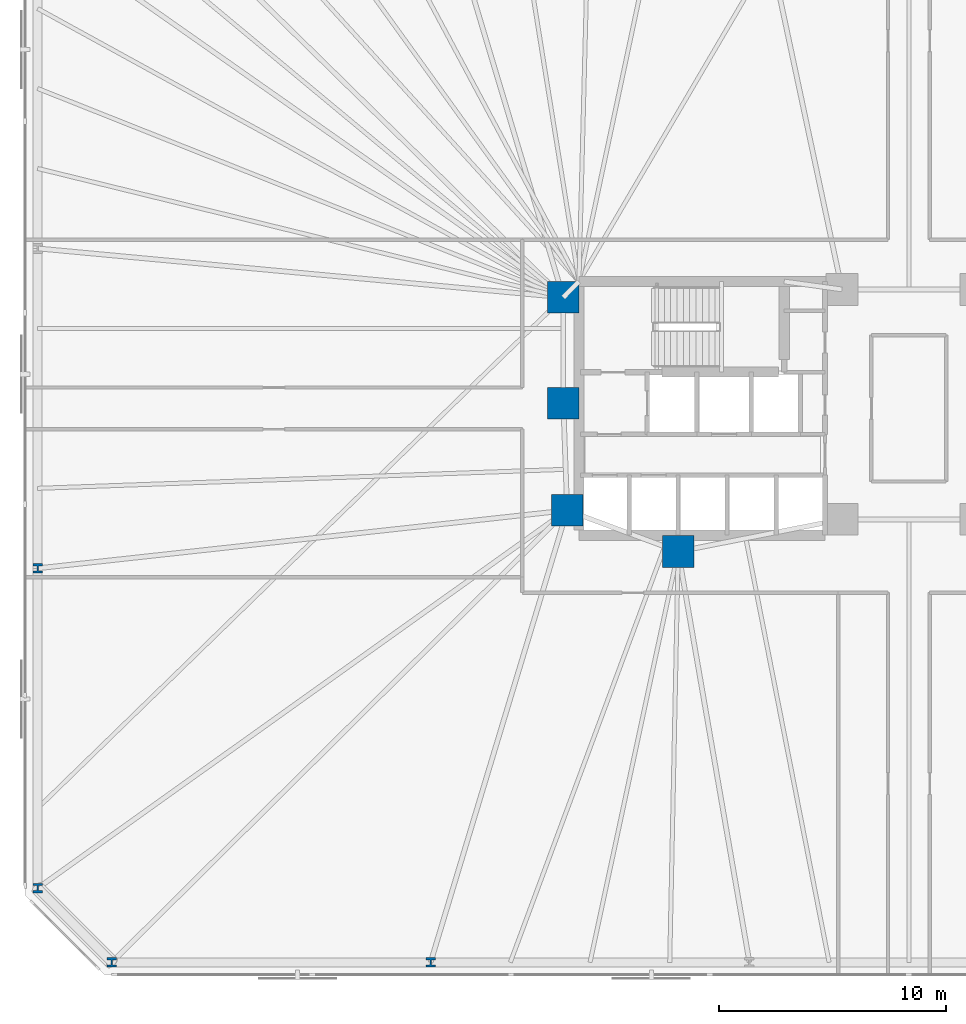
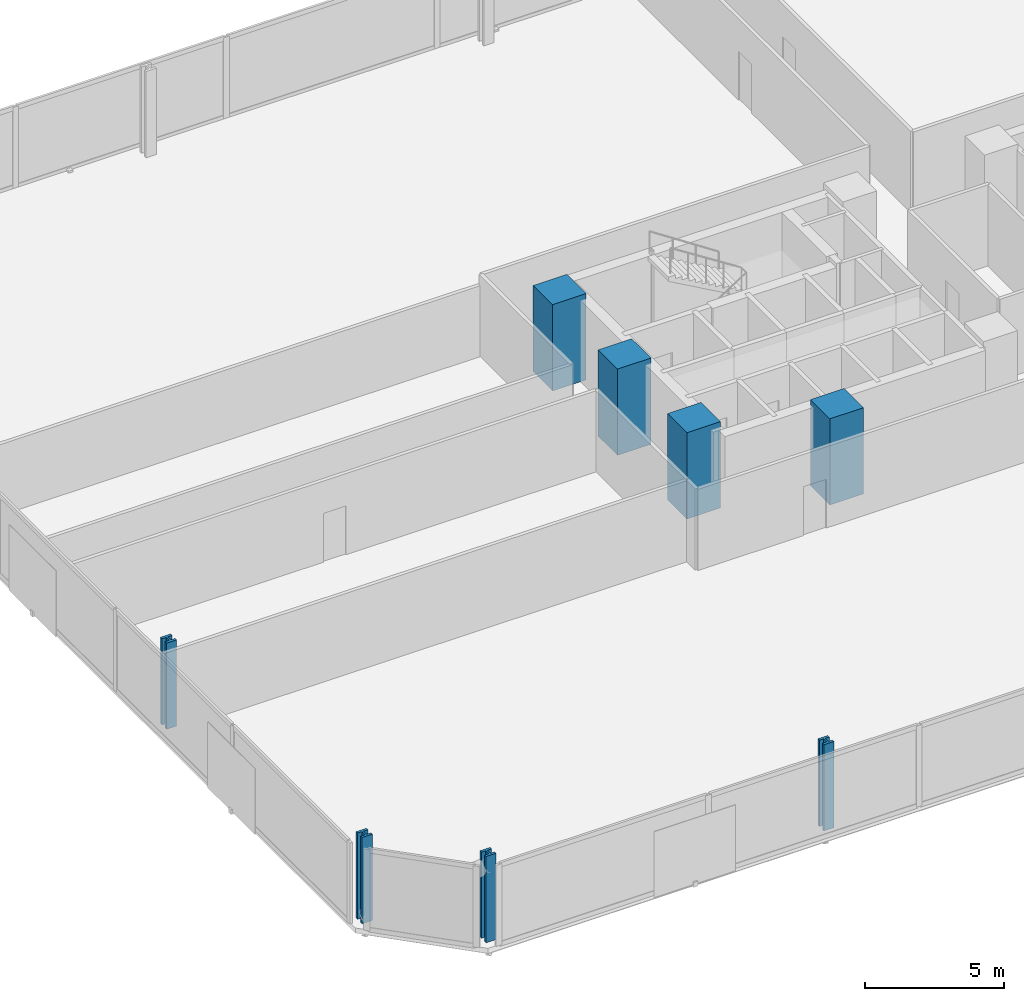
# One storey, part 1 of 16: 8 columns.
"""IFC4 building model written with IfcOpenShell, lengths in metres."""

from ifc_helpers import new_model, si_unit, direction, frame, origin, origin_2d, place, context, subcontext, project, spatial, rectangle, i_section, extrude, material, material_profile, profile_set, type_object, element, save


model = new_model("IFC4")

# Units and contexts
model_context = context("Model", 3, precision=1e-05, world=origin(), true_north=direction((0.0, 1.0)))
body_context = subcontext(model_context, "Body", "Model", "MODEL_VIEW")
ifc_project = project(units=[si_unit("LENGTHUNIT", "METRE"), si_unit("AREAUNIT", "SQUARE_METRE"), si_unit("VOLUMEUNIT", "CUBIC_METRE"), si_unit("PLANEANGLEUNIT", "RADIAN"), si_unit("MASSUNIT", "GRAM", prefix="KILO")], contexts=[model_context])

# Site, building, storey
site_placement = place(None, origin())
site = spatial("IfcSite", under=ifc_project, at=site_placement, CompositionType="ELEMENT")
building_placement = place(site_placement, origin())
building = spatial("IfcBuilding", under=site, at=building_placement, Name="Menara Jurai Vektor", CompositionType="ELEMENT")
storey_placement = place(building_placement, frame((0.0, 0.0, 14.199951171875)))
storey = spatial("IfcBuildingStorey", under=building, at=storey_placement, Name="L02", CompositionType="ELEMENT", Elevation=14.199951171875)

# Columns
ifc_material_1 = material(Name="Concrete C60/75", Category="concrete")
ifc_material_profile_1 = material_profile(ifc_material_1, rectangle(XDim=1.39990234375, YDim=1.39990234375, at=origin_2d()), Name="RC 1400x1400")
ifc_profile_set_1 = profile_set([ifc_material_profile_1], Name="Concrete C60/75")
column_type_1 = type_object("IfcColumnType", Name="STR-COL-RC1400", PredefinedType="COLUMN", material=ifc_profile_set_1)
for number, where, z_axis, x_axis, name in (
    (1, (-15.25, 4.89990234375, 0.0), (0.0, 0.0, 1.0), (1.0, 0.0, 0.0), "Core Spine Column CW-NW L02"),
    (2, (-15.25, 0.219970703125, 0.0), (0.0, 0.0, 1.0), (1.0, 0.0, 0.0), "Core Spine Column CW-WM L02"),
    (3, (-15.080078125, -4.5, 0.0), (0.0, 0.0, 1.0), (1.0, 0.0, 0.0), "Core Spine Column CW-SW L02"),
    (4, (-10.179931640625, -6.320068359375, 0.0), (0.0, 0.0, 1.0), (1.0, 0.0, 0.0), "Core Spine Column CW-SM L02"),
):
    element("IfcColumn", number, at=place(storey_placement, frame(where, z_axis=z_axis, x_axis=x_axis)), inside=storey, type_object=column_type_1, Name=name, PredefinedType="COLUMN", context=body_context, shape_type="SweptSolid", body=[
        extrude(rectangle(XDim=1.39990234375, YDim=1.39990234375, at=origin_2d()), origin(), (0.0, 0.0, 1.0), 3.800048828125),
    ])
ifc_material_2 = material(Name="Steel S460", Category="steel")
ifc_material_profile_2 = material_profile(ifc_material_2, i_section(OverallWidth=0.419921875, OverallDepth=0.430908203125, WebThickness=0.06494140625, FlangeThickness=0.10595703125, FilletRadius=0.014892578125, at=origin_2d()), Name="HD 400x900")
ifc_profile_set_2 = profile_set([ifc_material_profile_2], Name="Steel S460")
column_type_2 = type_object("IfcColumnType", Name="STR-EXO-BLK1", PredefinedType="COLUMN", material=ifc_profile_set_2)
for number, where, z_axis, x_axis, name in (
    (5, (-35.177734375, -24.449951171875, 0.0), (0.0, 0.0, 1.0), (1.0, 0.0, 0.0), "Exoskeleton Column BLK1-S1 L02"),
    (6, (-21.106689453125, -24.449951171875, 0.0), (0.0, 0.0, 1.0), (1.0, 0.0, 0.0), "Exoskeleton Column BLK1-S2 L02"),
    (7, (-38.449951171875, -7.059326171875, 0.0), (0.0, 0.0, 1.0), (1.0, 0.0, 0.0), "Exoskeleton Column BLK1-W3 L02"),
    (8, (-38.449951171875, -21.177734375, 0.0), (0.0, 0.0, 1.0), (1.0, 0.0, 0.0), "Exoskeleton Column BLK1-W4 L02"),
):
    element("IfcColumn", number, at=place(storey_placement, frame(where, z_axis=z_axis, x_axis=x_axis)), inside=storey, type_object=column_type_2, Name=name, PredefinedType="COLUMN", context=body_context, shape_type="SweptSolid", body=[
        extrude(i_section(OverallWidth=0.419921875, OverallDepth=0.430908203125, WebThickness=0.06494140625, FlangeThickness=0.10595703125, FilletRadius=0.014892578125, at=origin_2d()), origin(), (0.0, 0.0, 1.0), 3.800048828125),
    ])

save(model, "model.ifc")
